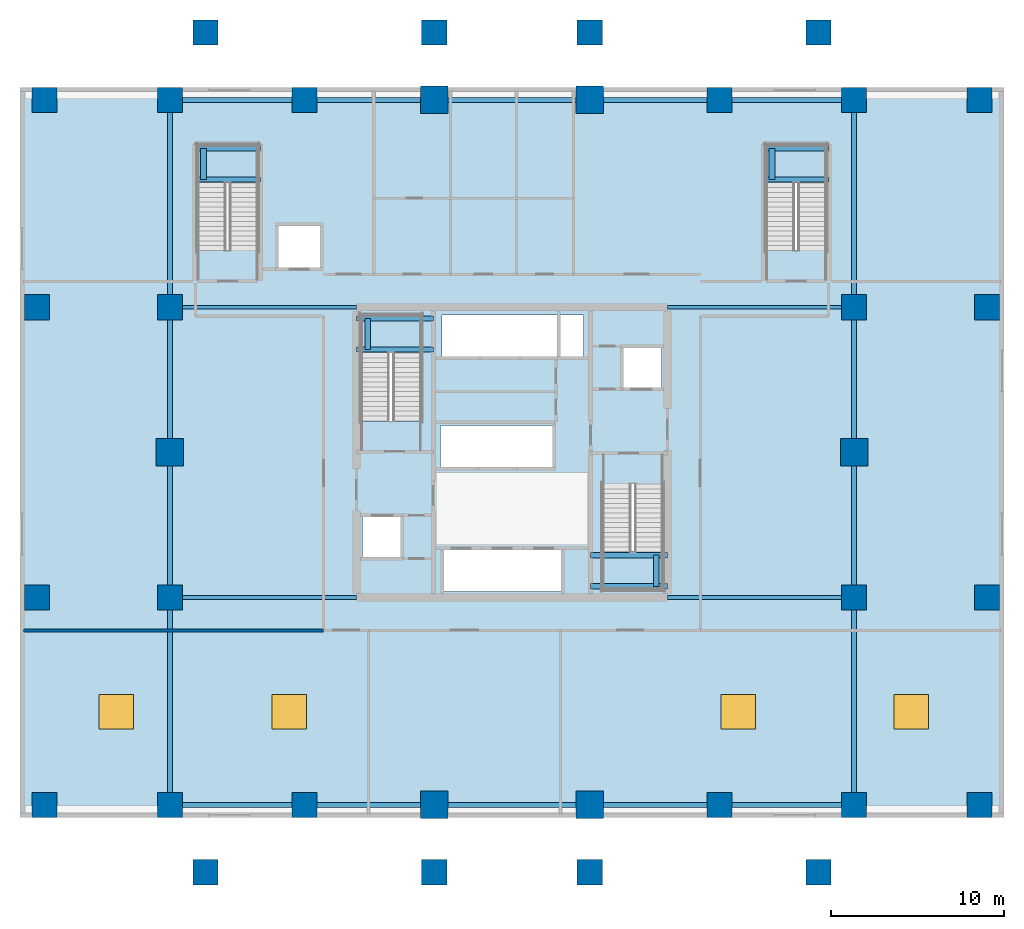
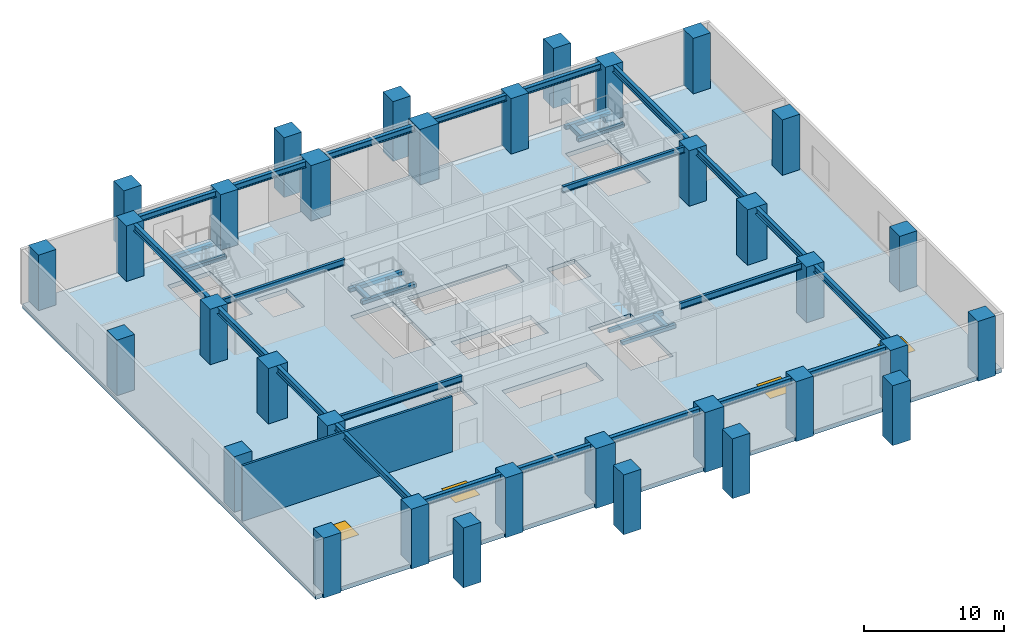
# One storey, part 1 of 12: 34 beams, 34 columns, 5 slabs, 4 windows, 1 wall, 4 openings, 4 elements without a shape of their own.
"""IFC4 building model written with IfcOpenShell, lengths in metres."""

from ifc_helpers import new_model, si_unit, direction, frame, frame_2d, origin, origin_2d, place, context, subcontext, project, spatial, polyline, rectangle, i_section, outline, extrude, source, transform, mapped, material, layer, layer_set, material_profile, profile_set, type_object, element, fill, aggregate, save


model = new_model("IFC4")

# Units and contexts
model_context = context("Model", 3, precision=1e-05, world=origin(), true_north=direction((0.0, 1.0)))
body_context = subcontext(model_context, "Body", "Model", "MODEL_VIEW")
ifc_project = project(units=[si_unit("LENGTHUNIT", "METRE"), si_unit("AREAUNIT", "SQUARE_METRE"), si_unit("VOLUMEUNIT", "CUBIC_METRE"), si_unit("PLANEANGLEUNIT", "RADIAN"), si_unit("MASSUNIT", "GRAM", prefix="KILO")], contexts=[model_context])

# Site, building, storey
site_placement = place(None, origin())
site = spatial("IfcSite", under=ifc_project, at=site_placement, CompositionType="ELEMENT")
building_placement = place(site_placement, origin())
building = spatial("IfcBuilding", under=site, at=building_placement, Name="Serunith Strait Residences", CompositionType="ELEMENT")
storey_placement = place(building_placement, frame((0.0, 0.0, 15.300048828125)))
storey = spatial("IfcBuildingStorey", under=building, at=storey_placement, Name="L03", CompositionType="ELEMENT", Elevation=15.300048828125)

# Columns
ifc_material_1 = material(Name="Concrete C90/105", Category="concrete")
ifc_material_profile_1 = material_profile(ifc_material_1, rectangle(XDim=1.449951171875, YDim=1.449951171875, at=origin_2d()), Name="RC 1450x1450")
ifc_profile_set_1 = profile_set([ifc_material_profile_1], Name="Concrete C90/105")
column_type_1 = type_object("IfcColumnType", Name="COL-RC-1450", PredefinedType="COLUMN", material=ifc_profile_set_1)
shared_shape_1 = source(origin(), body_context, "Body", "SweptSolid", [
    extrude(rectangle(XDim=1.449951171875, YDim=1.449951171875, at=origin_2d()), origin(), (0.0, 0.0, 1.0), 5.22998046875),
])
for number, where, z_axis, x_axis, name in (
    (1, (12.60009765625, 4.800048828125, -0.380126953125), (0.0, 0.0, 1.0), (1.0, 0.0, 0.0), "L03 Podium Column PC-S1"),
    (2, (20.39990234375, 4.800048828125, -0.380126953125), (0.0, 0.0, 1.0), (1.0, 0.0, 0.0), "L03 Podium Column PC-S2"),
    (3, (44.39990234375, 4.800048828125, -0.380126953125), (0.0, 0.0, 1.0), (1.0, 0.0, 0.0), "L03 Podium Column PC-S5"),
    (4, (52.199951171875, 4.800048828125, -0.380126953125), (0.0, 0.0, 1.0), (1.0, 0.0, 0.0), "L03 Podium Column PC-S6"),
    (5, (12.60009765625, 45.60009765625, -0.380126953125), (0.0, 0.0, 1.0), (1.0, 0.0, 0.0), "L03 Podium Column PC-N1"),
    (6, (20.39990234375, 45.60009765625, -0.380126953125), (0.0, 0.0, 1.0), (1.0, 0.0, 0.0), "L03 Podium Column PC-N2"),
    (7, (44.39990234375, 45.60009765625, -0.380126953125), (0.0, 0.0, 1.0), (1.0, 0.0, 0.0), "L03 Podium Column PC-N5"),
    (8, (52.199951171875, 45.60009765625, -0.380126953125), (0.0, 0.0, 1.0), (1.0, 0.0, 0.0), "L03 Podium Column PC-N6"),
    (9, (12.60009765625, 16.800048828125, -0.380126953125), (0.0, 0.0, 1.0), (1.0, 0.0, 0.0), "L03 Podium Column PC-MW1"),
    (10, (12.60009765625, 33.60009765625, -0.380126953125), (0.0, 0.0, 1.0), (1.0, 0.0, 0.0), "L03 Podium Column PC-MW3"),
    (11, (52.199951171875, 16.800048828125, -0.380126953125), (0.0, 0.0, 1.0), (1.0, 0.0, 0.0), "L03 Podium Column PC-ME1"),
    (12, (52.199951171875, 33.60009765625, -0.380126953125), (0.0, 0.0, 1.0), (1.0, 0.0, 0.0), "L03 Podium Column PC-ME3"),
    (13, (14.64990234375, 0.89990234375, -0.380126953125), (0.0, 0.0, 1.0), (1.0, 0.0, 0.0), "L03 Podium Column PC-RS1"),
    (14, (27.89990234375, 0.89990234375, -0.380126953125), (0.0, 0.0, 1.0), (1.0, 0.0, 0.0), "L03 Podium Column PC-RS2"),
    (15, (36.89990234375, 0.89990234375, -0.380126953125), (0.0, 0.0, 1.0), (1.0, 0.0, 0.0), "L03 Podium Column PC-RS3"),
    (16, (50.14990234375, 0.89990234375, -0.380126953125), (0.0, 0.0, 1.0), (1.0, 0.0, 0.0), "L03 Podium Column PC-RS4"),
    (17, (14.64990234375, 49.5, -0.380126953125), (0.0, 0.0, 1.0), (1.0, 0.0, 0.0), "L03 Podium Column PC-RN1"),
    (18, (27.89990234375, 49.5, -0.380126953125), (0.0, 0.0, 1.0), (1.0, 0.0, 0.0), "L03 Podium Column PC-RN2"),
    (19, (36.89990234375, 49.5, -0.380126953125), (0.0, 0.0, 1.0), (1.0, 0.0, 0.0), "L03 Podium Column PC-RN3"),
    (20, (50.14990234375, 49.5, -0.380126953125), (0.0, 0.0, 1.0), (1.0, 0.0, 0.0), "L03 Podium Column PC-RN4"),
    (21, (4.89990234375, 16.800048828125, -0.380126953125), (0.0, 0.0, 1.0), (1.0, 0.0, 0.0), "L03 Podium Column PC-RW1"),
    (22, (4.89990234375, 33.60009765625, -0.380126953125), (0.0, 0.0, 1.0), (1.0, 0.0, 0.0), "L03 Podium Column PC-RW2"),
    (23, (59.89990234375, 16.800048828125, -0.380126953125), (0.0, 0.0, 1.0), (1.0, 0.0, 0.0), "L03 Podium Column PC-RE1"),
    (24, (59.89990234375, 33.60009765625, -0.380126953125), (0.0, 0.0, 1.0), (1.0, 0.0, 0.0), "L03 Podium Column PC-RE2"),
    (25, (5.35009765625, 4.800048828125, -0.380126953125), (0.0, 0.0, 1.0), (1.0, 0.0, 0.0), "L03 Podium Column PC-RWS"),
    (26, (5.35009765625, 45.60009765625, -0.380126953125), (0.0, 0.0, 1.0), (1.0, 0.0, 0.0), "L03 Podium Column PC-RWN"),
    (27, (59.449951171875, 4.800048828125, -0.380126953125), (0.0, 0.0, 1.0), (1.0, 0.0, 0.0), "L03 Podium Column PC-RES"),
    (28, (59.449951171875, 45.60009765625, -0.380126953125), (0.0, 0.0, 1.0), (1.0, 0.0, 0.0), "L03 Podium Column PC-REN"),
):
    element("IfcColumn", number, at=place(storey_placement, frame(where, z_axis=z_axis, x_axis=x_axis)), inside=storey, type_object=column_type_1, Name=name, PredefinedType="COLUMN", context=body_context, shape_type="MappedRepresentation", body=[
        mapped(shared_shape_1, transform((0.0, 0.0, 0.0), scale=1.0)),
    ])
ifc_material_profile_2 = material_profile(ifc_material_1, rectangle(XDim=1.60009765625, YDim=1.60009765625, at=origin_2d()), Name="RC 1600x1600")
ifc_profile_set_2 = profile_set([ifc_material_profile_2], Name="Concrete C90/105")
column_type_2 = type_object("IfcColumnType", Name="COL-RC-1600", PredefinedType="COLUMN", material=ifc_profile_set_2)
shared_shape_2 = source(origin(), body_context, "Body", "SweptSolid", [
    extrude(rectangle(XDim=1.60009765625, YDim=1.60009765625, at=origin_2d()), origin(), (0.0, 0.0, 1.0), 5.22998046875),
])
for number, where, z_axis, x_axis, name in (
    (29, (27.89990234375, 4.800048828125, -0.380126953125), (0.0, 0.0, 1.0), (1.0, 0.0, 0.0), "L03 Podium Column PC-S3"),
    (30, (36.89990234375, 4.800048828125, -0.380126953125), (0.0, 0.0, 1.0), (1.0, 0.0, 0.0), "L03 Podium Column PC-S4"),
    (31, (27.89990234375, 45.60009765625, -0.380126953125), (0.0, 0.0, 1.0), (1.0, 0.0, 0.0), "L03 Podium Column PC-N3"),
    (32, (36.89990234375, 45.60009765625, -0.380126953125), (0.0, 0.0, 1.0), (1.0, 0.0, 0.0), "L03 Podium Column PC-N4"),
    (33, (12.60009765625, 25.199951171875, -0.380126953125), (0.0, 0.0, 1.0), (1.0, 0.0, 0.0), "L03 Podium Column PC-MW2"),
    (34, (52.199951171875, 25.199951171875, -0.380126953125), (0.0, 0.0, 1.0), (1.0, 0.0, 0.0), "L03 Podium Column PC-ME2"),
):
    element("IfcColumn", number, at=place(storey_placement, frame(where, z_axis=z_axis, x_axis=x_axis)), inside=storey, type_object=column_type_2, Name=name, PredefinedType="COLUMN", context=body_context, shape_type="MappedRepresentation", body=[
        mapped(shared_shape_2, transform((0.0, 0.0, 0.0), scale=1.0)),
    ])

# Beams
ifc_material_2 = material(Name="Steel S355J2", Category="steel")
ifc_material_profile_3 = material_profile(ifc_material_2, i_section(OverallWidth=0.300048828125, OverallDepth=0.550048828125, WebThickness=0.014892578125, FlangeThickness=0.029052734375, FilletRadius=0.027099609375, at=origin_2d()), Name="HEB 550")
ifc_profile_set_3 = profile_set([ifc_material_profile_3], Name="Steel S355J2")
beam_type_1 = type_object("IfcBeamType", Name="BM-HEB550", PredefinedType="BEAM", material=ifc_profile_set_3)
shared_shape_3 = source(origin(), body_context, "Body", "SweptSolid", [
    extrude(i_section(OverallWidth=0.300048828125, OverallDepth=0.550048828125, WebThickness=0.014892578125, FlangeThickness=0.029052734375, FilletRadius=0.027099609375, at=origin_2d()), origin(), (0.0, 0.0, 1.0), 7.7998046875),
])
for number, where, z_axis, x_axis, name in (
    (35, (12.60009765625, 4.800048828125, 4.572021484375), (1.0, 0.0, 0.0), (0.0, 1.0, 0.0), "BM-L03-01"),
    (36, (12.60009765625, 45.60009765625, 4.572021484375), (1.0, 0.0, 0.0), (0.0, 1.0, 0.0), "BM-L03-06"),
):
    element("IfcBeam", number, at=place(storey_placement, frame(where, z_axis=z_axis, x_axis=x_axis)), inside=storey, type_object=beam_type_1, Name=name, PredefinedType="BEAM", context=body_context, shape_type="MappedRepresentation", body=[
        mapped(shared_shape_3, transform((0.0, 0.0, 0.0), scale=1.0)),
    ])
shared_shape_4 = source(origin(), body_context, "Body", "SweptSolid", [
    extrude(i_section(OverallWidth=0.300048828125, OverallDepth=0.550048828125, WebThickness=0.014892578125, FlangeThickness=0.029052734375, FilletRadius=0.027099609375, at=origin_2d()), origin(), (0.0, 0.0, 1.0), 7.5),
])
for number, where, z_axis, x_axis, name in (
    (37, (20.39990234375, 4.800048828125, 4.572021484375), (1.0, 0.0, 0.0), (0.0, 1.0, 0.0), "BM-L03-02"),
    (38, (36.89990234375, 4.800048828125, 4.572021484375), (1.0, 0.0, 0.0), (0.0, 1.0, 0.0), "BM-L03-04"),
    (39, (20.39990234375, 45.60009765625, 4.572021484375), (1.0, 0.0, 0.0), (0.0, 1.0, 0.0), "BM-L03-07"),
    (40, (36.89990234375, 45.60009765625, 4.572021484375), (1.0, 0.0, 0.0), (0.0, 1.0, 0.0), "BM-L03-09"),
):
    element("IfcBeam", number, at=place(storey_placement, frame(where, z_axis=z_axis, x_axis=x_axis)), inside=storey, type_object=beam_type_1, Name=name, PredefinedType="BEAM", context=body_context, shape_type="MappedRepresentation", body=[
        mapped(shared_shape_4, transform((0.0, 0.0, 0.0), scale=1.0)),
    ])
shared_shape_5 = source(origin(), body_context, "Body", "SweptSolid", [
    extrude(i_section(OverallWidth=0.300048828125, OverallDepth=0.550048828125, WebThickness=0.014892578125, FlangeThickness=0.029052734375, FilletRadius=0.027099609375, at=origin_2d()), origin(), (0.0, 0.0, 1.0), 9.0),
])
for number, where, z_axis, x_axis, name in (
    (41, (27.89990234375, 4.800048828125, 4.572021484375), (1.0, 0.0, 0.0), (0.0, 1.0, 0.0), "BM-L03-03"),
    (42, (27.89990234375, 45.60009765625, 4.572021484375), (1.0, 0.0, 0.0), (0.0, 1.0, 0.0), "BM-L03-08"),
):
    element("IfcBeam", number, at=place(storey_placement, frame(where, z_axis=z_axis, x_axis=x_axis)), inside=storey, type_object=beam_type_1, Name=name, PredefinedType="BEAM", context=body_context, shape_type="MappedRepresentation", body=[
        mapped(shared_shape_5, transform((0.0, 0.0, 0.0), scale=1.0)),
    ])
shared_shape_6 = source(origin(), body_context, "Body", "SweptSolid", [
    extrude(i_section(OverallWidth=0.300048828125, OverallDepth=0.550048828125, WebThickness=0.014892578125, FlangeThickness=0.029052734375, FilletRadius=0.027099609375, at=origin_2d()), origin(), (0.0, 0.0, 1.0), 7.800048828125),
])
for number, where, z_axis, x_axis, name in (
    (43, (44.39990234375, 4.800048828125, 4.572021484375), (1.0, 0.0, 0.0), (0.0, 1.0, 0.0), "BM-L03-05"),
    (44, (44.39990234375, 45.60009765625, 4.572021484375), (1.0, 0.0, 0.0), (0.0, 1.0, 0.0), "BM-L03-10"),
):
    element("IfcBeam", number, at=place(storey_placement, frame(where, z_axis=z_axis, x_axis=x_axis)), inside=storey, type_object=beam_type_1, Name=name, PredefinedType="BEAM", context=body_context, shape_type="MappedRepresentation", body=[
        mapped(shared_shape_6, transform((0.0, 0.0, 0.0), scale=1.0)),
    ])
ifc_material_profile_4 = material_profile(ifc_material_2, i_section(OverallWidth=0.300048828125, OverallDepth=0.60009765625, WebThickness=0.015380859375, FlangeThickness=0.030029296875, FilletRadius=0.027099609375, at=origin_2d()), Name="HEB 600")
ifc_profile_set_4 = profile_set([ifc_material_profile_4], Name="Steel S355J2")
beam_type_2 = type_object("IfcBeamType", Name="BM-HEB600", PredefinedType="BEAM", material=ifc_profile_set_4)
shared_shape_7 = source(origin(), body_context, "Body", "SweptSolid", [
    extrude(i_section(OverallWidth=0.300048828125, OverallDepth=0.60009765625, WebThickness=0.015380859375, FlangeThickness=0.030029296875, FilletRadius=0.027099609375, at=origin_2d()), origin(), (0.0, 0.0, 1.0), 12.0),
])
for number, where, z_axis, x_axis, name in (
    (45, (12.60009765625, 4.800048828125, 4.546875), (0.0, 1.0, 0.0), (-1.0, 0.0, 0.0), "BM-L03-11"),
    (46, (12.60009765625, 33.60009765625, 4.546875), (0.0, 1.0, 0.0), (-1.0, 0.0, 0.0), "BM-L03-14"),
    (47, (52.199951171875, 4.800048828125, 4.546875), (0.0, 1.0, 0.0), (-1.0, 0.0, 0.0), "BM-L03-15"),
    (48, (52.199951171875, 33.60009765625, 4.546875), (0.0, 1.0, 0.0), (-1.0, 0.0, 0.0), "BM-L03-18"),
):
    element("IfcBeam", number, at=place(storey_placement, frame(where, z_axis=z_axis, x_axis=x_axis)), inside=storey, type_object=beam_type_2, Name=name, PredefinedType="BEAM", context=body_context, shape_type="MappedRepresentation", body=[
        mapped(shared_shape_7, transform((0.0, 0.0, 0.0), scale=1.0)),
    ])
shared_shape_8 = source(origin(), body_context, "Body", "SweptSolid", [
    extrude(i_section(OverallWidth=0.300048828125, OverallDepth=0.60009765625, WebThickness=0.015380859375, FlangeThickness=0.030029296875, FilletRadius=0.027099609375, at=origin_2d()), origin(), (0.0, 0.0, 1.0), 8.39990234375),
])
for number, where, z_axis, x_axis, name in (
    (49, (12.60009765625, 16.800048828125, 4.546875), (0.0, 1.0, 0.0), (-1.0, 0.0, 0.0), "BM-L03-12"),
    (50, (52.199951171875, 16.800048828125, 4.546875), (0.0, 1.0, 0.0), (-1.0, 0.0, 0.0), "BM-L03-16"),
):
    element("IfcBeam", number, at=place(storey_placement, frame(where, z_axis=z_axis, x_axis=x_axis)), inside=storey, type_object=beam_type_2, Name=name, PredefinedType="BEAM", context=body_context, shape_type="MappedRepresentation", body=[
        mapped(shared_shape_8, transform((0.0, 0.0, 0.0), scale=1.0)),
    ])
shared_shape_9 = source(origin(), body_context, "Body", "SweptSolid", [
    extrude(i_section(OverallWidth=0.300048828125, OverallDepth=0.60009765625, WebThickness=0.015380859375, FlangeThickness=0.030029296875, FilletRadius=0.027099609375, at=origin_2d()), origin(), (0.0, 0.0, 1.0), 8.400146484375),
])
for number, where, z_axis, x_axis, name in (
    (51, (12.60009765625, 25.199951171875, 4.546875), (0.0, 1.0, 0.0), (-1.0, 0.0, 0.0), "BM-L03-13"),
    (52, (52.199951171875, 25.199951171875, 4.546875), (0.0, 1.0, 0.0), (-1.0, 0.0, 0.0), "BM-L03-17"),
):
    element("IfcBeam", number, at=place(storey_placement, frame(where, z_axis=z_axis, x_axis=x_axis)), inside=storey, type_object=beam_type_2, Name=name, PredefinedType="BEAM", context=body_context, shape_type="MappedRepresentation", body=[
        mapped(shared_shape_9, transform((0.0, 0.0, 0.0), scale=1.0)),
    ])
ifc_material_profile_5 = material_profile(ifc_material_2, i_section(OverallWidth=0.2099609375, OverallDepth=0.550048828125, WebThickness=0.010986328125, FlangeThickness=0.01708984375, FilletRadius=0.02392578125, at=origin_2d()), Name="IPE 550")
ifc_profile_set_5 = profile_set([ifc_material_profile_5], Name="Steel S355J2")
beam_type_3 = type_object("IfcBeamType", Name="BM-IPE550", PredefinedType="BEAM", material=ifc_profile_set_5)
shared_shape_10 = source(origin(), body_context, "Body", "SweptSolid", [
    extrude(i_section(OverallWidth=0.2099609375, OverallDepth=0.550048828125, WebThickness=0.010986328125, FlangeThickness=0.01708984375, FilletRadius=0.02392578125, at=origin_2d()), origin(), (0.0, 0.0, 1.0), 10.7998046875),
])
for number, where, z_axis, x_axis, name in (
    (53, (12.60009765625, 16.800048828125, 4.572021484375), (1.0, 0.0, 0.0), (0.0, 1.0, 0.0), "BM-L03-19"),
    (54, (12.60009765625, 33.60009765625, 4.572021484375), (1.0, 0.0, 0.0), (0.0, 1.0, 0.0), "BM-L03-21"),
):
    element("IfcBeam", number, at=place(storey_placement, frame(where, z_axis=z_axis, x_axis=x_axis)), inside=storey, type_object=beam_type_3, Name=name, PredefinedType="BEAM", context=body_context, shape_type="MappedRepresentation", body=[
        mapped(shared_shape_10, transform((0.0, 0.0, 0.0), scale=1.0)),
    ])
shared_shape_11 = source(origin(), body_context, "Body", "SweptSolid", [
    extrude(i_section(OverallWidth=0.2099609375, OverallDepth=0.550048828125, WebThickness=0.010986328125, FlangeThickness=0.01708984375, FilletRadius=0.02392578125, at=origin_2d()), origin(), (0.0, 0.0, 1.0), 10.800048828125),
])
for number, where, z_axis, x_axis, name in (
    (55, (41.39990234375, 16.800048828125, 4.572021484375), (1.0, 0.0, 0.0), (0.0, 1.0, 0.0), "BM-L03-20"),
    (56, (41.39990234375, 33.60009765625, 4.572021484375), (1.0, 0.0, 0.0), (0.0, 1.0, 0.0), "BM-L03-22"),
):
    element("IfcBeam", number, at=place(storey_placement, frame(where, z_axis=z_axis, x_axis=x_axis)), inside=storey, type_object=beam_type_3, Name=name, PredefinedType="BEAM", context=body_context, shape_type="MappedRepresentation", body=[
        mapped(shared_shape_11, transform((0.0, 0.0, 0.0), scale=1.0)),
    ])
ifc_material_3 = material(Name="Concrete C60/75", Category="concrete")
ifc_material_profile_6 = material_profile(ifc_material_3, rectangle(XDim=0.300048828125, YDim=0.300048828125, at=origin_2d()), Name="RC 300x300")
ifc_profile_set_6 = profile_set([ifc_material_profile_6], Name="Concrete C60/75")
beam_type_4 = type_object("IfcBeamType", Name="BM-LAND-300x300", PredefinedType="BEAM", material=ifc_profile_set_6)
shared_shape_12 = source(origin(), body_context, "Body", "SweptSolid", [
    extrude(rectangle(XDim=0.300048828125, YDim=0.300048828125, at=origin_2d()), origin(), (0.0, 0.0, 1.0), 4.4501953125),
])
for number, where, z_axis, x_axis, name in (
    (57, (23.39990234375, 31.14990234375, 2.5), (1.0, 0.0, 0.0), (0.0, 1.0, 0.0), "L03 ST-1 Landing Support Beam 1"),
    (58, (23.39990234375, 32.949951171875, 2.5), (1.0, 0.0, 0.0), (0.0, 1.0, 0.0), "L03 ST-1 Landing Support Beam 2"),
):
    element("IfcBeam", number, at=place(storey_placement, frame(where, z_axis=z_axis, x_axis=x_axis)), inside=storey, type_object=beam_type_4, Name=name, PredefinedType="BEAM", context=body_context, shape_type="MappedRepresentation", body=[
        mapped(shared_shape_12, transform((0.0, 0.0, 0.0), scale=1.0)),
    ])
shared_shape_13 = source(origin(), body_context, "Body", "SweptSolid", [
    extrude(rectangle(XDim=0.300048828125, YDim=0.300048828125, at=origin_2d()), origin(), (0.0, 0.0, 1.0), 1.800048828125),
])
for number, where, z_axis, x_axis, name in (
    (59, (24.050048828125, 31.14990234375, 2.5), (0.0, 1.0, 0.0), (-1.0, 0.0, 0.0), "L03 ST-1 Landing Transverse Tie Beam"),
    (60, (40.75, 17.449951171875, 2.5), (0.0, 1.0, 0.0), (-1.0, 0.0, 0.0), "L03 ST-2 Landing Transverse Tie Beam"),
):
    element("IfcBeam", number, at=place(storey_placement, frame(where, z_axis=z_axis, x_axis=x_axis)), inside=storey, type_object=beam_type_4, Name=name, PredefinedType="BEAM", context=body_context, shape_type="MappedRepresentation", body=[
        mapped(shared_shape_13, transform((0.0, 0.0, 0.0), scale=1.0)),
    ])
shared_shape_14 = source(origin(), body_context, "Body", "SweptSolid", [
    extrude(rectangle(XDim=0.300048828125, YDim=0.300048828125, at=origin_2d()), origin(), (0.0, 0.0, 1.0), 4.449951171875),
])
for number, where, z_axis, x_axis, name in (
    (61, (36.949951171875, 17.449951171875, 2.5), (1.0, 0.0, 0.0), (0.0, 1.0, 0.0), "L03 ST-2 Landing Support Beam 1"),
    (62, (36.949951171875, 19.25, 2.5), (1.0, 0.0, 0.0), (0.0, 1.0, 0.0), "L03 ST-2 Landing Support Beam 2"),
):
    element("IfcBeam", number, at=place(storey_placement, frame(where, z_axis=z_axis, x_axis=x_axis)), inside=storey, type_object=beam_type_4, Name=name, PredefinedType="BEAM", context=body_context, shape_type="MappedRepresentation", body=[
        mapped(shared_shape_14, transform((0.0, 0.0, 0.0), scale=1.0)),
    ])
shared_shape_15 = source(origin(), body_context, "Body", "SweptSolid", [
    extrude(rectangle(XDim=0.300048828125, YDim=0.300048828125, at=origin_2d()), origin(), (0.0, 0.0, 1.0), 3.800048828125),
])
for number, where, z_axis, x_axis, name in (
    (63, (14.050048828125, 41.0, 2.5), (1.0, 0.0, 0.0), (0.0, 1.0, 0.0), "L03 ST-3 Landing Support Beam 1"),
    (64, (14.050048828125, 42.800048828125, 2.5), (1.0, 0.0, 0.0), (0.0, 1.0, 0.0), "L03 ST-3 Landing Support Beam 2"),
    (65, (46.949951171875, 41.0, 2.5), (1.0, 0.0, 0.0), (0.0, 1.0, 0.0), "L03 ST-4 Landing Support Beam 1"),
    (66, (46.949951171875, 42.800048828125, 2.5), (1.0, 0.0, 0.0), (0.0, 1.0, 0.0), "L03 ST-4 Landing Support Beam 2"),
):
    element("IfcBeam", number, at=place(storey_placement, frame(where, z_axis=z_axis, x_axis=x_axis)), inside=storey, type_object=beam_type_4, Name=name, PredefinedType="BEAM", context=body_context, shape_type="MappedRepresentation", body=[
        mapped(shared_shape_15, transform((0.0, 0.0, 0.0), scale=1.0)),
    ])
ifc_material_profile_7 = material_profile(ifc_material_3, rectangle(XDim=0.35009765625, YDim=0.39990234375, at=origin_2d()), Name="RC 350x400")
ifc_profile_set_7 = profile_set([ifc_material_profile_7], Name="Concrete C60/75")
beam_type_5 = type_object("IfcBeamType", Name="BM-LAND-350x400", PredefinedType="BEAM", material=ifc_profile_set_7)
shared_shape_16 = source(origin(), body_context, "Body", "SweptSolid", [
    extrude(rectangle(XDim=0.35009765625, YDim=0.39990234375, at=origin_2d()), origin(), (0.0, 0.0, 1.0), 1.800048828125),
])
for number, where, z_axis, x_axis, name in (
    (67, (14.550048828125, 41.0, 2.449951171875), (0.0, 1.0, 0.0), (-1.0, 0.0, 0.0), "L03 ST-3 Landing Transverse Trimmer"),
    (68, (47.449951171875, 41.0, 2.449951171875), (0.0, 1.0, 0.0), (-1.0, 0.0, 0.0), "L03 ST-4 Landing Transverse Trimmer"),
):
    element("IfcBeam", number, at=place(storey_placement, frame(where, z_axis=z_axis, x_axis=x_axis)), inside=storey, type_object=beam_type_5, Name=name, PredefinedType="BEAM", context=body_context, shape_type="MappedRepresentation", body=[
        mapped(shared_shape_16, transform((0.0, 0.0, 0.0), scale=1.0)),
    ])

# Stair, slab
ifc_material_4 = material(Name="Concrete C50/60", Category="concrete")
stair_type_1 = type_object("IfcStairType", Name="STR-CORE-1", PredefinedType="HALF_TURN_STAIR", material=ifc_material_4)
stair_1_placement = place(storey_placement, origin())
stair_1 = element("IfcStair", 69, at=stair_1_placement, inside=storey, type_object=stair_type_1, Name="L03 Protected Escape Stair ST-1", PredefinedType="HALF_TURN_STAIR")
ifc_layer_1 = layer(ifc_material_4, 0.199951171875, Name="Concrete C50/60")
ifc_layer_set_1 = layer_set([ifc_layer_1], Name="Concrete C50/60")
slab_type_1 = type_object("IfcSlabType", Name="SLB-LAND-200", PredefinedType="LANDING", material=ifc_layer_set_1)
slab_1_placement = place(storey_placement, frame((0.0, 0.0, 2.64990234375)))
slab_1 = element("IfcSlab", 70, at=slab_1_placement, type_object=slab_type_1, Name="ST-1 landing 1", PredefinedType="LANDING", context=body_context, shape_type="SweptSolid", body=[
    extrude(outline(polyline([(27.14990234375, 30.949951171875), (27.14990234375, 33.14990234375), (23.64990234375, 33.14990234375), (23.64990234375, 30.949951171875), (27.14990234375, 30.949951171875)])), origin(), (0.0, 0.0, 1.0), 0.199951171875),
])
aggregate(stair_1, [slab_1])

stair_type_2 = type_object("IfcStairType", Name="STR-CORE-2", PredefinedType="HALF_TURN_STAIR", material=ifc_material_4)
stair_2_placement = place(storey_placement, origin())
stair_2 = element("IfcStair", 71, at=stair_2_placement, inside=storey, type_object=stair_type_2, Name="L03 Protected Escape Stair ST-2", PredefinedType="HALF_TURN_STAIR")
slab_2_placement = place(storey_placement, frame((0.0, 0.0, 2.64990234375)))
slab_2 = element("IfcSlab", 72, at=slab_2_placement, type_object=slab_type_1, Name="ST-2 landing 1", PredefinedType="LANDING", context=body_context, shape_type="SweptSolid", body=[
    extrude(outline(polyline([(37.64990234375, 19.449951171875), (37.64990234375, 17.25), (41.14990234375, 17.25), (41.14990234375, 19.449951171875), (37.64990234375, 19.449951171875)])), origin(), (0.0, 0.0, 1.0), 0.199951171875),
])
aggregate(stair_2, [slab_2])

stair_type_3 = type_object("IfcStairType", Name="STR-POD-3", PredefinedType="HALF_TURN_STAIR", material=ifc_material_4)
stair_3_placement = place(storey_placement, origin())
stair_3 = element("IfcStair", 73, at=stair_3_placement, inside=storey, type_object=stair_type_3, Name="L03 Podium Escape Stair ST-3", PredefinedType="HALF_TURN_STAIR")
slab_3_placement = place(storey_placement, frame((0.0, 0.0, 2.64990234375)))
slab_3 = element("IfcSlab", 74, at=slab_3_placement, type_object=slab_type_1, Name="ST-3 landing 1", PredefinedType="LANDING", context=body_context, shape_type="SweptSolid", body=[
    extrude(outline(polyline([(17.699951171875, 40.800048828125), (17.699951171875, 43.0), (14.199951171875, 43.0), (14.199951171875, 40.800048828125), (17.699951171875, 40.800048828125)])), origin(), (0.0, 0.0, 1.0), 0.199951171875),
])
aggregate(stair_3, [slab_3])

stair_type_4 = type_object("IfcStairType", Name="STR-POD-4", PredefinedType="HALF_TURN_STAIR", material=ifc_material_4)
stair_4_placement = place(storey_placement, origin())
stair_4 = element("IfcStair", 75, at=stair_4_placement, inside=storey, type_object=stair_type_4, Name="L03 Podium Escape Stair ST-4", PredefinedType="HALF_TURN_STAIR")
slab_4_placement = place(storey_placement, frame((0.0, 0.0, 2.64990234375)))
slab_4 = element("IfcSlab", 76, at=slab_4_placement, type_object=slab_type_1, Name="ST-4 landing 1", PredefinedType="LANDING", context=body_context, shape_type="SweptSolid", body=[
    extrude(outline(polyline([(50.60009765625, 40.800048828125), (50.60009765625, 43.0), (47.10009765625, 43.0), (47.10009765625, 40.800048828125), (50.60009765625, 40.800048828125)])), origin(), (0.0, 0.0, 1.0), 0.199951171875),
])
aggregate(stair_4, [slab_4])

# Slab, openings, windows
ifc_layer_2 = layer(ifc_material_3, 0.3798828125, Name="Concrete C60/75")
ifc_layer_set_2 = layer_set([ifc_layer_2], Name="Concrete C60/75")
slab_type_2 = type_object("IfcSlabType", Name="SLB-POD-380", PredefinedType="FLOOR", material=ifc_layer_set_2)
slab_5_placement = place(storey_placement, frame((0.0, 0.0, -0.380126953125)))
slab_5 = element("IfcSlab", 77, at=slab_5_placement, inside=storey, type_object=slab_type_2, Name="L03 Structural Floor Plate", PredefinedType="FLOOR", context=body_context, shape_type="SweptSolid", body=[
    extrude(outline(polyline([(4.050048828125, 46.199951171875), (60.75, 46.199951171875), (60.75, 4.199951171875), (4.050048828125, 4.199951171875), (4.050048828125, 46.199951171875)]), holes=[polyline([(50.60009765625, 43.0), (47.10009765625, 43.0), (47.10009765625, 36.8798828125), (50.60009765625, 36.8798828125), (50.60009765625, 43.0)]), polyline([(41.14990234375, 17.25), (41.14990234375, 23.3701171875), (37.64990234375, 23.3701171875), (37.64990234375, 17.25), (41.14990234375, 17.25)]), polyline([(41.050048828125, 28.85009765625), (41.050048828125, 31.25), (38.75, 31.25), (38.75, 28.85009765625), (41.050048828125, 28.85009765625)]), polyline([(36.550048828125, 33.14990234375), (28.35009765625, 33.14990234375), (28.35009765625, 30.64990234375), (36.550048828125, 30.64990234375), (36.550048828125, 33.14990234375)]), polyline([(35.35009765625, 19.64990234375), (28.35009765625, 19.64990234375), (28.35009765625, 17.14990234375), (35.35009765625, 17.14990234375), (35.35009765625, 19.64990234375)]), polyline([(34.85009765625, 24.25), (34.85009765625, 26.75), (28.25, 26.75), (28.25, 24.25), (34.85009765625, 24.25)]), polyline([(23.64990234375, 33.14990234375), (23.64990234375, 27.030029296875), (27.14990234375, 27.030029296875), (27.14990234375, 33.14990234375), (23.64990234375, 33.14990234375)]), polyline([(26.050048828125, 21.550048828125), (23.75, 21.550048828125), (23.75, 19.14990234375), (26.050048828125, 19.14990234375), (26.050048828125, 21.550048828125)]), polyline([(21.39990234375, 38.39990234375), (18.800048828125, 38.39990234375), (18.800048828125, 35.800048828125), (21.39990234375, 35.800048828125), (21.39990234375, 38.39990234375)]), polyline([(17.699951171875, 43.0), (14.199951171875, 43.0), (14.199951171875, 36.8798828125), (17.699951171875, 36.8798828125), (17.699951171875, 43.0)])]), origin(), (0.0, 0.0, 1.0), 0.380126953125),
])
opening_1_placement = place(slab_5_placement, frame((9.5, 10.199951171875, 0.0)))
opening_1 = element("IfcOpeningElement", 78, at=opening_1_placement, cuts=slab_5, Name="Opening SK-01", PredefinedType="OPENING", context=body_context, shape_type="SweptSolid", body=[
    extrude(rectangle(XDim=2.0, YDim=2.0, at=origin_2d()), frame((0.0, 0.0, -0.010009765625)), (0.0, 0.0, 1.0), 0.400146484375),
])
opening_2_placement = place(slab_5_placement, frame((19.5, 10.199951171875, 0.0)))
opening_2 = element("IfcOpeningElement", 79, at=opening_2_placement, cuts=slab_5, Name="Opening SK-01", PredefinedType="OPENING", context=body_context, shape_type="SweptSolid", body=[
    extrude(rectangle(XDim=2.0, YDim=2.0, at=origin_2d()), frame((0.0, 0.0, -0.010009765625)), (0.0, 0.0, 1.0), 0.400146484375),
])
opening_3_placement = place(slab_5_placement, frame((45.5, 10.199951171875, 0.0)))
opening_3 = element("IfcOpeningElement", 80, at=opening_3_placement, cuts=slab_5, Name="Opening SK-01", PredefinedType="OPENING", context=body_context, shape_type="SweptSolid", body=[
    extrude(rectangle(XDim=2.0, YDim=2.0, at=origin_2d()), frame((0.0, 0.0, -0.010009765625)), (0.0, 0.0, 1.0), 0.400146484375),
])
opening_4_placement = place(slab_5_placement, frame((55.5, 10.199951171875, 0.0)))
opening_4 = element("IfcOpeningElement", 81, at=opening_4_placement, cuts=slab_5, Name="Opening SK-01", PredefinedType="OPENING", context=body_context, shape_type="SweptSolid", body=[
    extrude(rectangle(XDim=2.0, YDim=2.0, at=origin_2d()), frame((0.0, 0.0, -0.010009765625)), (0.0, 0.0, 1.0), 0.400146484375),
])
ifc_material_5 = material(Name="Laminated Solar-Control Skylight Glass", Category="glass")
window_type = type_object("IfcWindowType", Name="WIN-SKY1", PartitioningType="SINGLE_PANEL", PredefinedType="SKYLIGHT", material=ifc_material_5)
window_1_placement = place(opening_1_placement, frame((0.0, 0.0, 0.340087890625)))
window_1 = element("IfcWindow", 82, at=window_1_placement, inside=storey, type_object=window_type, Name="Galleria Podium Skylight 01", OverallHeight=2.0, OverallWidth=2.0, PartitioningType="SINGLE_PANEL", PredefinedType="SKYLIGHT", context=body_context, shape_type="SweptSolid", body=[
    extrude(rectangle(XDim=2.0, YDim=2.0, at=origin_2d()), origin(), (0.0, 0.0, 1.0), 0.0400390625),
])
fill(opening_1, window_1)
window_2_placement = place(opening_2_placement, frame((0.0, 0.0, 0.340087890625)))
window_2 = element("IfcWindow", 83, at=window_2_placement, inside=storey, type_object=window_type, Name="Galleria Podium Skylight 02", OverallHeight=2.0, OverallWidth=2.0, PartitioningType="SINGLE_PANEL", PredefinedType="SKYLIGHT", context=body_context, shape_type="SweptSolid", body=[
    extrude(rectangle(XDim=2.0, YDim=2.0, at=origin_2d()), origin(), (0.0, 0.0, 1.0), 0.0400390625),
])
fill(opening_2, window_2)
window_3_placement = place(opening_3_placement, frame((0.0, 0.0, 0.340087890625)))
window_3 = element("IfcWindow", 84, at=window_3_placement, inside=storey, type_object=window_type, Name="Galleria Podium Skylight 03", OverallHeight=2.0, OverallWidth=2.0, PartitioningType="SINGLE_PANEL", PredefinedType="SKYLIGHT", context=body_context, shape_type="SweptSolid", body=[
    extrude(rectangle(XDim=2.0, YDim=2.0, at=origin_2d()), origin(), (0.0, 0.0, 1.0), 0.0400390625),
])
fill(opening_3, window_3)
window_4_placement = place(opening_4_placement, frame((0.0, 0.0, 0.340087890625)))
window_4 = element("IfcWindow", 85, at=window_4_placement, inside=storey, type_object=window_type, Name="Galleria Podium Skylight 04", OverallHeight=2.0, OverallWidth=2.0, PartitioningType="SINGLE_PANEL", PredefinedType="SKYLIGHT", context=body_context, shape_type="SweptSolid", body=[
    extrude(rectangle(XDim=2.0, YDim=2.0, at=origin_2d()), origin(), (0.0, 0.0, 1.0), 0.0400390625),
])
fill(opening_4, window_4)

# Wall
ifc_material_6 = material(Name="Fire-rated acoustic gypsum partition")
ifc_layer_3 = layer(ifc_material_6, 0.179931640625, Name="Fire-rated acoustic gypsum partition")
ifc_layer_set_3 = layer_set([ifc_layer_3], Name="Fire-rated acoustic gypsum partition")
wall_type = type_object("IfcWallType", Name="IW-CORR-180", PredefinedType="PARTITIONING", material=ifc_layer_set_3)
wall_placement = place(storey_placement, frame((4.132080078125, 14.89990234375, 0.0), z_axis=(0.0, 0.0, 1.0), x_axis=(1.0, 0.0, 0.0)))
element("IfcWall", 86, at=wall_placement, inside=storey, type_object=wall_type, Name="L03 Partition Wall 017", PredefinedType="PARTITIONING", context=body_context, shape_type="SweptSolid", body=[
    extrude(rectangle(XDim=17.367919921875, YDim=0.179931640625, at=frame_2d((8.68408203125, 0.0))), origin(), (0.0, 0.0, 1.0), 4.849853515625),
])

save(model, "model.ifc")
